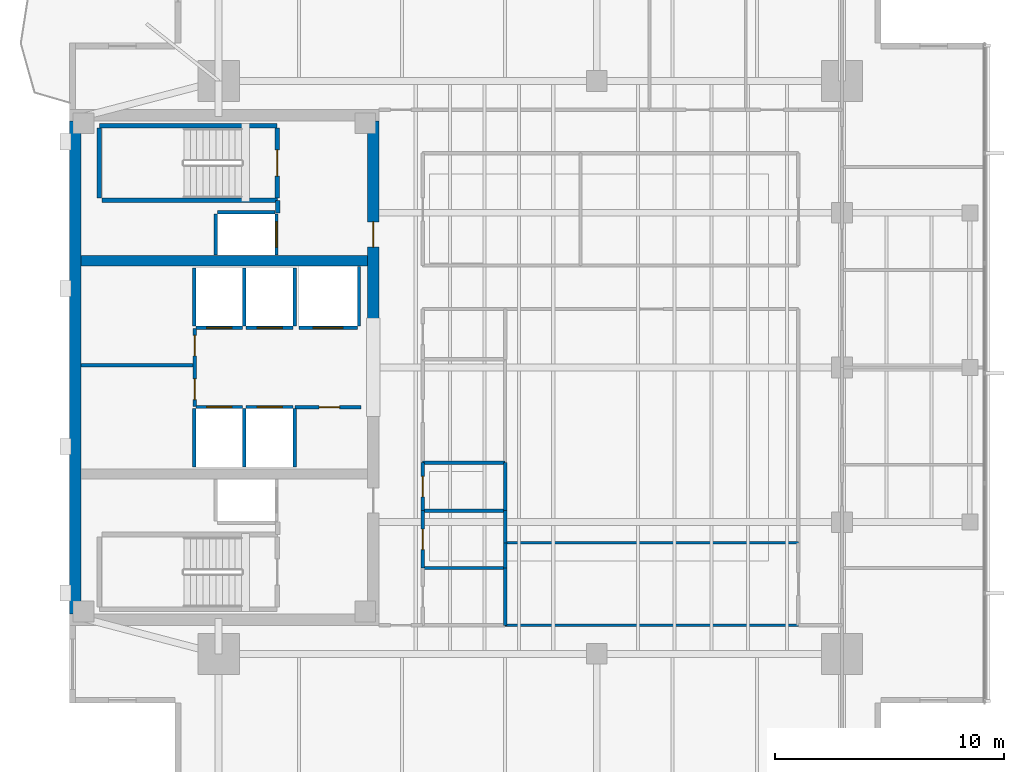
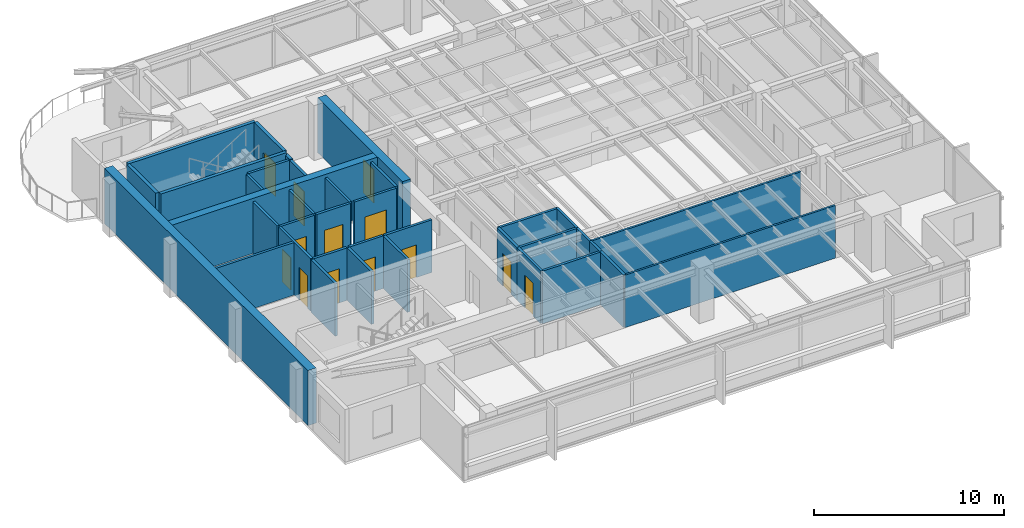
# One storey, part 8 of 14: 37 walls, 13 doors, 13 openings.
"""IFC4 building model written with IfcOpenShell, lengths in metres."""

from ifc_helpers import new_model, si_unit, direction, frame, frame_2d, origin, place, context, subcontext, project, spatial, rectangle, extrude, material, layer, layer_set, type_object, element, fill, save


model = new_model("IFC4")

# Units and contexts
model_context = context("Model", 3, precision=1e-05, world=origin(), true_north=direction((0.0, 1.0)))
body_context = subcontext(model_context, "Body", "Model", "MODEL_VIEW")
ifc_project = project(units=[si_unit("LENGTHUNIT", "METRE"), si_unit("AREAUNIT", "SQUARE_METRE"), si_unit("VOLUMEUNIT", "CUBIC_METRE"), si_unit("PLANEANGLEUNIT", "RADIAN"), si_unit("MASSUNIT", "GRAM", prefix="KILO")], contexts=[model_context])

# Site, building, storey
site_placement = place(None, origin())
site = spatial("IfcSite", under=ifc_project, at=site_placement, CompositionType="ELEMENT")
building_placement = place(site_placement, origin())
building = spatial("IfcBuilding", under=site, at=building_placement, Name="Kinhvarn Gate Tower", CompositionType="ELEMENT")
storey_placement = place(building_placement, frame((0.0, 0.0, 284.75)))
storey = spatial("IfcBuildingStorey", under=building, at=storey_placement, Name="L76", CompositionType="ELEMENT", Elevation=284.75)

# Wall
ifc_material_1 = material(Name="Concrete C50/60", Category="concrete")
ifc_layer_1 = layer(ifc_material_1, 0.449951171875)
ifc_layer_set_1 = layer_set([ifc_layer_1], Name="Concrete C50/60")
wall_type_1 = type_object("IfcWallType", Name="WL-CORE-450", PredefinedType="SHEAR", material=ifc_layer_set_1)
wall_1_placement = place(storey_placement, frame((5.0, 29.89990234375, 0.0), z_axis=(0.0, 0.0, 1.0), x_axis=(1.0, 0.0, 0.0)))
element("IfcWall", 1, at=wall_1_placement, inside=storey, type_object=wall_type_1, Name="Core North Spine Shear Wall L76 450 mm", PredefinedType="SHEAR", context=body_context, shape_type="SweptSolid", body=[
    extrude(rectangle(XDim=12.5, YDim=0.449951171875, at=frame_2d((6.25, 0.0))), origin(), (0.0, 0.0, 1.0), 3.550048828125),
])

# Wall, opening, door
ifc_layer_2 = layer(ifc_material_1, 0.5)
ifc_layer_set_2 = layer_set([ifc_layer_2], Name="Concrete C50/60")
wall_type_2 = type_object("IfcWallType", Name="WL-CORE-500", PredefinedType="SHEAR", material=ifc_layer_set_2)
wall_2_placement = place(storey_placement, frame((17.75, 27.050048828125, 0.0), z_axis=(0.0, 0.0, 1.0), x_axis=(0.0, 1.0, 0.0)))
wall_2 = element("IfcWall", 2, at=wall_2_placement, inside=storey, type_object=wall_type_2, Name="Core East-North Shear Pier L76 500 mm", PredefinedType="SHEAR", context=body_context, shape_type="SweptSolid", body=[
    extrude(rectangle(XDim=8.949951171875, YDim=0.5, at=frame_2d((4.47509765625, 0.0))), origin(), (0.0, 0.0, 1.0), 3.550048828125),
])
opening_1_placement = place(wall_2_placement, frame((3.449951171875, 0.0, 0.0)))
opening_1 = element("IfcOpeningElement", 3, at=opening_1_placement, cuts=wall_2, Name="Opening FD-02", PredefinedType="OPENING", context=body_context, shape_type="SweptSolid", body=[
    extrude(rectangle(XDim=1.10009765625, YDim=2.14990234375, at=frame_2d((0.550048828125, 1.074951171875))), frame((0.0, 0.260009765625, 0.0), z_axis=(0.0, -1.0, 0.0), x_axis=(1.0, 0.0, 0.0)), (0.0, 0.0, 1.0), 0.52001953125),
])
ifc_material_2 = material(Name="Anodised aluminium AW-6063", Category="aluminium")
door_type_1 = type_object("IfcDoorType", Name="DR-FD-1100", OperationType="NOTDEFINED", PredefinedType="DOOR", material=ifc_material_2)
door_1_placement = place(opening_1_placement, origin())
door_1 = element("IfcDoor", 4, at=door_1_placement, inside=storey, type_object=door_type_1, Name="Firefighting Lobby Core Door (L76)", OperationType="SINGLE_SWING_LEFT", OverallHeight=2.14990234375, OverallWidth=1.10009765625, PredefinedType="DOOR", context=body_context, shape_type="SweptSolid", body=[
    extrude(rectangle(XDim=1.10009765625, YDim=2.14990234375, at=frame_2d((0.550048828125, 1.074951171875))), frame((0.0, 0.02490234375, 0.0), z_axis=(0.0, -1.0, 0.0), x_axis=(1.0, 0.0, 0.0)), (0.0, 0.0, 1.0), 0.050048828125),
])
fill(opening_1, door_1)

# Walls
ifc_layer_3 = layer(ifc_material_1, 0.5)
ifc_layer_set_3 = layer_set([ifc_layer_3], Name="Concrete C50/60")
wall_type_3 = type_object("IfcWallType", Name="WL-COREX-500", PredefinedType="SHEAR", material=ifc_layer_set_3)
wall_3_placement = place(storey_placement, frame((4.75, 14.5, 0.0), z_axis=(0.0, 0.0, 1.0), x_axis=(0.0, 1.0, 0.0)))
element("IfcWall", 5, at=wall_3_placement, inside=storey, type_object=wall_type_3, Name="Core West Shear Wall L76 500 mm", PredefinedType="SHEAR", context=body_context, shape_type="SweptSolid", body=[
    extrude(rectangle(XDim=21.5, YDim=0.5, at=frame_2d((10.75, 0.0))), origin(), (0.0, 0.0, 1.0), 3.550048828125),
])
ifc_material_3 = material(Name="Gypsum acoustic partition board")
ifc_layer_4 = layer(ifc_material_3, 0.14990234375)
ifc_layer_set_4 = layer_set([ifc_layer_4], Name="Gypsum acoustic partition board")
wall_type_4 = type_object("IfcWallType", Name="WL-PLM-150", PredefinedType="PLUMBINGWALL", material=ifc_layer_set_4)
wall_4_placement = place(storey_placement, frame((19.89990234375, 16.5, 0.0), z_axis=(0.0, 0.0, 1.0), x_axis=(1.0, 0.0, 0.0)))
element("IfcWall", 6, at=wall_4_placement, inside=storey, type_object=wall_type_4, Name="Interior Partition PLW-150 (L76)", PredefinedType="PLUMBINGWALL", context=body_context, shape_type="SweptSolid", body=[
    extrude(rectangle(XDim=3.60009765625, YDim=0.14990234375, at=frame_2d((1.800048828125, 0.0))), origin(), (0.0, 0.0, 1.0), 3.389892578125),
])
wall_5_placement = place(storey_placement, frame((23.5, 14.0, 0.0), z_axis=(0.0, 0.0, 1.0), x_axis=(0.0, 1.0, 0.0)))
element("IfcWall", 7, at=wall_5_placement, inside=storey, type_object=wall_type_4, Name="Interior Partition PLW-150 (L76)", PredefinedType="PLUMBINGWALL", context=body_context, shape_type="SweptSolid", body=[
    extrude(rectangle(XDim=2.5, YDim=0.14990234375, at=frame_2d((1.25, 0.0))), origin(), (0.0, 0.0, 1.0), 3.389892578125),
])
wall_6_placement = place(storey_placement, frame((19.89990234375, 19.0, 0.0), z_axis=(0.0, 0.0, 1.0), x_axis=(1.0, 0.0, 0.0)))
element("IfcWall", 8, at=wall_6_placement, inside=storey, type_object=wall_type_4, Name="Interior Partition PLW-150 (L76)", PredefinedType="PLUMBINGWALL", context=body_context, shape_type="SweptSolid", body=[
    extrude(rectangle(XDim=3.60009765625, YDim=0.14990234375, at=frame_2d((1.800048828125, 0.0))), origin(), (0.0, 0.0, 1.0), 3.389892578125),
])
wall_7_placement = place(storey_placement, frame((23.5, 16.5, 0.0), z_axis=(0.0, 0.0, 1.0), x_axis=(0.0, 1.0, 0.0)))
element("IfcWall", 9, at=wall_7_placement, inside=storey, type_object=wall_type_4, Name="Interior Partition PLW-150 (L76)", PredefinedType="PLUMBINGWALL", context=body_context, shape_type="SweptSolid", body=[
    extrude(rectangle(XDim=1.10009765625, YDim=0.14990234375, at=frame_2d((0.550048828125, 0.0))), origin(), (0.0, 0.0, 1.0), 3.389892578125),
])
wall_8_placement = place(storey_placement, frame((23.5, 17.60009765625, 0.0), z_axis=(0.0, 0.0, 1.0), x_axis=(0.0, 1.0, 0.0)))
element("IfcWall", 10, at=wall_8_placement, inside=storey, type_object=wall_type_4, Name="Interior Partition PLW-150 (L76)", PredefinedType="PLUMBINGWALL", context=body_context, shape_type="SweptSolid", body=[
    extrude(rectangle(XDim=1.39990234375, YDim=0.14990234375, at=frame_2d((0.699951171875, 0.0))), origin(), (0.0, 0.0, 1.0), 3.389892578125),
])
wall_9_placement = place(storey_placement, frame((19.89990234375, 21.10009765625, 0.0), z_axis=(0.0, 0.0, 1.0), x_axis=(1.0, 0.0, 0.0)))
element("IfcWall", 11, at=wall_9_placement, inside=storey, type_object=wall_type_4, Name="Interior Partition PLW-150 (L76)", PredefinedType="PLUMBINGWALL", context=body_context, shape_type="SweptSolid", body=[
    extrude(rectangle(XDim=3.60009765625, YDim=0.14990234375, at=frame_2d((1.800048828125, 0.0))), origin(), (0.0, 0.0, 1.0), 3.389892578125),
])
wall_10_placement = place(storey_placement, frame((23.5, 19.0, 0.0), z_axis=(0.0, 0.0, 1.0), x_axis=(0.0, 1.0, 0.0)))
element("IfcWall", 12, at=wall_10_placement, inside=storey, type_object=wall_type_4, Name="Interior Partition PLW-150 (L76)", PredefinedType="PLUMBINGWALL", context=body_context, shape_type="SweptSolid", body=[
    extrude(rectangle(XDim=2.10009765625, YDim=0.14990234375, at=frame_2d((1.050048828125, 0.0))), origin(), (0.0, 0.0, 1.0), 3.389892578125),
])

# Wall, opening, door
ifc_layer_5 = layer(ifc_material_3, 0.14990234375)
ifc_layer_set_5 = layer_set([ifc_layer_5], Name="Gypsum acoustic partition board")
wall_type_5 = type_object("IfcWallType", Name="WL-PLM-150F", PredefinedType="PLUMBINGWALL", material=ifc_layer_set_5)
wall_11_placement = place(storey_placement, frame((19.89990234375, 16.5, 0.0), z_axis=(0.0, 0.0, 1.0), x_axis=(0.0, 1.0, 0.0)))
wall_11 = element("IfcWall", 13, at=wall_11_placement, inside=storey, type_object=wall_type_5, Name="Interior Partition PLW-150F (L76)", PredefinedType="PLUMBINGWALL", context=body_context, shape_type="SweptSolid", body=[
    extrude(rectangle(XDim=2.5, YDim=0.14990234375, at=frame_2d((1.25, 0.0))), origin(), (0.0, 0.0, 1.0), 3.389892578125),
])
opening_2_placement = place(wall_11_placement, frame((0.800048828125, 0.0, 0.0)))
opening_2 = element("IfcOpeningElement", 14, at=opening_2_placement, cuts=wall_11, Name="Opening FD-04", PredefinedType="OPENING", context=body_context, shape_type="SweptSolid", body=[
    extrude(rectangle(XDim=0.89990234375, YDim=2.10009765625, at=frame_2d((0.449951171875, 1.050048828125))), frame((0.0, 0.0849609375, 0.0), z_axis=(0.0, -1.0, 0.0), x_axis=(1.0, 0.0, 0.0)), (0.0, 0.0, 1.0), 0.169921875),
])
door_type_2 = type_object("IfcDoorType", Name="DR-FD-900", OperationType="NOTDEFINED", PredefinedType="DOOR", material=ifc_material_2)
door_2_placement = place(opening_2_placement, origin())
door_2 = element("IfcDoor", 15, at=door_2_placement, inside=storey, type_object=door_type_2, Name="Rated Riser & Service Closet Fire Door 900x2100 mm (L76)", OperationType="SINGLE_SWING_LEFT", OverallHeight=2.10009765625, OverallWidth=0.89990234375, PredefinedType="DOOR", context=body_context, shape_type="SweptSolid", body=[
    extrude(rectangle(XDim=0.89990234375, YDim=2.10009765625, at=frame_2d((0.449951171875, 1.050048828125))), frame((0.0, 0.02490234375, 0.0), z_axis=(0.0, -1.0, 0.0), x_axis=(1.0, 0.0, 0.0)), (0.0, 0.0, 1.0), 0.050048828125),
])
fill(opening_2, door_2)

wall_12_placement = place(storey_placement, frame((19.89990234375, 19.0, 0.0), z_axis=(0.0, 0.0, 1.0), x_axis=(0.0, 1.0, 0.0)))
wall_12 = element("IfcWall", 16, at=wall_12_placement, inside=storey, type_object=wall_type_5, Name="Interior Partition PLW-150F (L76)", PredefinedType="PLUMBINGWALL", context=body_context, shape_type="SweptSolid", body=[
    extrude(rectangle(XDim=2.10009765625, YDim=0.14990234375, at=frame_2d((1.050048828125, 0.0))), origin(), (0.0, 0.0, 1.0), 3.389892578125),
])
opening_3_placement = place(wall_12_placement, frame((0.60009765625, 0.0, 0.0)))
opening_3 = element("IfcOpeningElement", 17, at=opening_3_placement, cuts=wall_12, Name="Opening FD-04", PredefinedType="OPENING", context=body_context, shape_type="SweptSolid", body=[
    extrude(rectangle(XDim=0.89990234375, YDim=2.10009765625, at=frame_2d((0.449951171875, 1.050048828125))), frame((0.0, 0.0849609375, 0.0), z_axis=(0.0, -1.0, 0.0), x_axis=(1.0, 0.0, 0.0)), (0.0, 0.0, 1.0), 0.169921875),
])
door_3_placement = place(opening_3_placement, origin())
door_3 = element("IfcDoor", 18, at=door_3_placement, inside=storey, type_object=door_type_2, Name="Rated Riser & Service Closet Fire Door 900x2100 mm (L76)", OperationType="SINGLE_SWING_RIGHT", OverallHeight=2.10009765625, OverallWidth=0.89990234375, PredefinedType="DOOR", context=body_context, shape_type="SweptSolid", body=[
    extrude(rectangle(XDim=0.89990234375, YDim=2.10009765625, at=frame_2d((0.449951171875, 1.050048828125))), frame((0.0, 0.02490234375, 0.0), z_axis=(0.0, -1.0, 0.0), x_axis=(1.0, 0.0, 0.0)), (0.0, 0.0, 1.0), 0.050048828125),
])
fill(opening_3, door_3)

# Walls
ifc_layer_6 = layer(ifc_material_3, 0.1201171875)
ifc_layer_set_6 = layer_set([ifc_layer_6], Name="Gypsum acoustic partition board")
wall_type_6 = type_object("IfcWallType", Name="WL-PRT-120", PredefinedType="PARTITIONING", material=ifc_layer_set_6)
for number, where, z_axis, x_axis, name in (
    (19, (23.5, 17.60009765625, 0.0), (0.0, 0.0, 1.0), (1.0, 0.0, 0.0), "Interior Partition PW-120 (L76)"),
    (20, (23.5, 14.0, 0.0), (0.0, 0.0, 1.0), (1.0, 0.0, 0.0), "Interior Partition PW-120 (L76)"),
):
    element("IfcWall", number, at=place(storey_placement, frame(where, z_axis=z_axis, x_axis=x_axis)), inside=storey, type_object=wall_type_6, Name=name, PredefinedType="PARTITIONING", context=body_context, shape_type="SweptSolid", body=[
        extrude(rectangle(XDim=12.800048828125, YDim=0.1201171875, at=frame_2d((6.39990234375, 0.0))), origin(), (0.0, 0.0, 1.0), 3.389892578125),
    ])
ifc_layer_7 = layer(ifc_material_3, 0.14990234375)
ifc_layer_set_7 = layer_set([ifc_layer_7], Name="Gypsum acoustic partition board")
wall_type_7 = type_object("IfcWallType", Name="WL-PRT-150F", PredefinedType="PARTITIONING", material=ifc_layer_set_7)
wall_13_placement = place(storey_placement, frame((5.0, 25.35009765625, 0.0), z_axis=(0.0, 0.0, 1.0), x_axis=(1.0, 0.0, 0.0)))
element("IfcWall", 21, at=wall_13_placement, inside=storey, type_object=wall_type_7, Name="Interior Partition PW-150F (L76)", PredefinedType="PARTITIONING", context=body_context, shape_type="SweptSolid", body=[
    extrude(rectangle(XDim=4.949951171875, YDim=0.14990234375, at=frame_2d((2.47509765625, 0.0))), origin(), (0.0, 0.0, 1.0), 3.389892578125),
])

# Wall, openings, doors
wall_14_placement = place(storey_placement, frame((9.949951171875, 23.550048828125, 0.0), z_axis=(0.0, 0.0, 1.0), x_axis=(0.0, 1.0, 0.0)))
wall_14 = element("IfcWall", 22, at=wall_14_placement, inside=storey, type_object=wall_type_7, Name="Interior Partition PW-150F (L76)", PredefinedType="PARTITIONING", context=body_context, shape_type="SweptSolid", body=[
    extrude(rectangle(XDim=3.39990234375, YDim=0.14990234375, at=frame_2d((1.699951171875, 0.0))), origin(), (0.0, 0.0, 1.0), 3.389892578125),
])
opening_4_placement = place(wall_14_placement, frame((0.298095703125, 0.0, 0.0)))
opening_4 = element("IfcOpeningElement", 23, at=opening_4_placement, cuts=wall_14, Name="Opening FD-04", PredefinedType="OPENING", context=body_context, shape_type="SweptSolid", body=[
    extrude(rectangle(XDim=0.89990234375, YDim=2.10009765625, at=frame_2d((0.449951171875, 1.050048828125))), frame((0.0, 0.0849609375, 0.0), z_axis=(0.0, -1.0, 0.0), x_axis=(1.0, 0.0, 0.0)), (0.0, 0.0, 1.0), 0.169921875),
])
opening_5_placement = place(wall_14_placement, frame((2.201904296875, 0.0, 0.0)))
opening_5 = element("IfcOpeningElement", 24, at=opening_5_placement, cuts=wall_14, Name="Opening FD-04", PredefinedType="OPENING", context=body_context, shape_type="SweptSolid", body=[
    extrude(rectangle(XDim=0.89990234375, YDim=2.10009765625, at=frame_2d((0.449951171875, 1.050048828125))), frame((0.0, 0.0849609375, 0.0), z_axis=(0.0, -1.0, 0.0), x_axis=(1.0, 0.0, 0.0)), (0.0, 0.0, 1.0), 0.169921875),
])
door_4_placement = place(opening_4_placement, origin())
door_4 = element("IfcDoor", 25, at=door_4_placement, inside=storey, type_object=door_type_2, Name="Rated Riser & Service Closet Fire Door 900x2100 mm (L76)", OperationType="SINGLE_SWING_RIGHT", OverallHeight=2.10009765625, OverallWidth=0.89990234375, PredefinedType="DOOR", context=body_context, shape_type="SweptSolid", body=[
    extrude(rectangle(XDim=0.89990234375, YDim=2.10009765625, at=frame_2d((0.449951171875, 1.050048828125))), frame((0.0, 0.02490234375, 0.0), z_axis=(0.0, -1.0, 0.0), x_axis=(1.0, 0.0, 0.0)), (0.0, 0.0, 1.0), 0.050048828125),
])
fill(opening_4, door_4)
door_5_placement = place(opening_5_placement, origin())
door_5 = element("IfcDoor", 26, at=door_5_placement, inside=storey, type_object=door_type_2, Name="Rated Riser & Service Closet Fire Door 900x2100 mm (L76)", OperationType="SINGLE_SWING_LEFT", OverallHeight=2.10009765625, OverallWidth=0.89990234375, PredefinedType="DOOR", context=body_context, shape_type="SweptSolid", body=[
    extrude(rectangle(XDim=0.89990234375, YDim=2.10009765625, at=frame_2d((0.449951171875, 1.050048828125))), frame((0.0, 0.02490234375, 0.0), z_axis=(0.0, -1.0, 0.0), x_axis=(1.0, 0.0, 0.0)), (0.0, 0.0, 1.0), 0.050048828125),
])
fill(opening_5, door_5)

# Wall, opening, door
wall_15_placement = place(storey_placement, frame((14.330078125, 23.52001953125, 0.0), z_axis=(0.0, 0.0, 1.0), x_axis=(1.0, 0.0, 0.0)))
wall_15 = element("IfcWall", 27, at=wall_15_placement, inside=storey, type_object=wall_type_7, Name="Interior Partition PW-150F (L76)", PredefinedType="PARTITIONING", context=body_context, shape_type="SweptSolid", body=[
    extrude(rectangle(XDim=2.889892578125, YDim=0.14990234375, at=frame_2d((1.44482421875, 0.0))), origin(), (0.0, 0.0, 1.0), 3.389892578125),
])
opening_6_placement = place(wall_15_placement, frame((1.052734375, 0.0, 0.0)))
opening_6 = element("IfcOpeningElement", 28, at=opening_6_placement, cuts=wall_15, Name="Opening FD-04", PredefinedType="OPENING", context=body_context, shape_type="SweptSolid", body=[
    extrude(rectangle(XDim=0.89990234375, YDim=2.10009765625, at=frame_2d((0.449951171875, 1.050048828125))), frame((0.0, 0.0849609375, 0.0), z_axis=(0.0, -1.0, 0.0), x_axis=(1.0, 0.0, 0.0)), (0.0, 0.0, 1.0), 0.169921875),
])
door_6_placement = place(opening_6_placement, origin())
door_6 = element("IfcDoor", 29, at=door_6_placement, inside=storey, type_object=door_type_2, Name="Rated Riser & Service Closet Fire Door 900x2100 mm (L76)", OperationType="SINGLE_SWING_RIGHT", OverallHeight=2.10009765625, OverallWidth=0.89990234375, PredefinedType="DOOR", context=body_context, shape_type="SweptSolid", body=[
    extrude(rectangle(XDim=0.89990234375, YDim=2.10009765625, at=frame_2d((0.449951171875, 1.050048828125))), frame((0.0, 0.02490234375, 0.0), z_axis=(0.0, -1.0, 0.0), x_axis=(1.0, 0.0, 0.0)), (0.0, 0.0, 1.0), 0.050048828125),
])
fill(opening_6, door_6)

# Wall
ifc_layer_8 = layer(ifc_material_3, 0.199951171875)
ifc_layer_set_8 = layer_set([ifc_layer_8], Name="Gypsum acoustic partition board")
wall_type_8 = type_object("IfcWallType", Name="WL-PRT-200", PredefinedType="PARTITIONING", material=ifc_layer_set_8)
wall_16_placement = place(storey_placement, frame((13.580078125, 32.0, 0.0), z_axis=(0.0, 0.0, 1.0), x_axis=(0.0, 1.0, 0.0)))
element("IfcWall", 30, at=wall_16_placement, inside=storey, type_object=wall_type_8, Name="Interior Partition PW-200 (L76)", PredefinedType="PARTITIONING", context=body_context, shape_type="SweptSolid", body=[
    extrude(rectangle(XDim=0.5400390625, YDim=0.199951171875, at=frame_2d((0.27001953125, 0.0))), origin(), (0.0, 0.0, 1.0), 3.389892578125),
])

# Wall, opening, door
ifc_layer_9 = layer(ifc_material_3, 0.14990234375)
ifc_layer_set_9 = layer_set([ifc_layer_9], Name="Gypsum acoustic partition board")
wall_type_9 = type_object("IfcWallType", Name="WL-SHF-150", PredefinedType="PARTITIONING", material=ifc_layer_set_9)
wall_17_placement = place(storey_placement, frame((10.0, 23.52490234375, 0.0), z_axis=(0.0, 0.0, 1.0), x_axis=(1.0, 0.0, 0.0)))
wall_17 = element("IfcWall", 31, at=wall_17_placement, inside=storey, type_object=wall_type_9, Name="Elevator PH-09 Landing Wall (L76)", PredefinedType="PARTITIONING", context=body_context, shape_type="SweptSolid", body=[
    extrude(rectangle(XDim=2.050048828125, YDim=0.14990234375, at=frame_2d((1.02490234375, 0.0))), origin(), (0.0, 0.0, 1.0), 3.389892578125),
])
opening_7_placement = place(wall_17_placement, frame((0.47509765625, 0.0, 0.0)))
opening_7 = element("IfcOpeningElement", 32, at=opening_7_placement, cuts=wall_17, Name="Opening LD-01", PredefinedType="OPENING", context=body_context, shape_type="SweptSolid", body=[
    extrude(rectangle(XDim=1.10009765625, YDim=2.199951171875, at=frame_2d((0.550048828125, 1.10009765625))), frame((0.0, 0.0849609375, 0.0), z_axis=(0.0, -1.0, 0.0), x_axis=(1.0, 0.0, 0.0)), (0.0, 0.0, 1.0), 0.169921875),
])
door_type_3 = type_object("IfcDoorType", Name="DR-LND-PAS", OperationType="NOTDEFINED", PredefinedType="DOOR", material=ifc_material_2)
door_7_placement = place(opening_7_placement, origin())
door_7 = element("IfcDoor", 33, at=door_7_placement, inside=storey, type_object=door_type_3, Name="Elevator PH-09 Sliding Landing Door (L76)", OperationType="DOUBLE_DOOR_SLIDING", OverallHeight=2.199951171875, OverallWidth=1.10009765625, PredefinedType="DOOR", context=body_context, shape_type="SweptSolid", body=[
    extrude(rectangle(XDim=1.10009765625, YDim=2.199951171875, at=frame_2d((0.550048828125, 1.10009765625))), frame((0.0, 0.02490234375, 0.0), z_axis=(0.0, -1.0, 0.0), x_axis=(1.0, 0.0, 0.0)), (0.0, 0.0, 1.0), 0.050048828125),
])
fill(opening_7, door_7)

# Walls
for number, where, z_axis, x_axis, name in (
    (34, (9.925048828125, 20.89990234375, 0.0), (0.0, 0.0, 1.0), (0.0, 1.0, 0.0), "Elevator PH-09 Hoistway Wall W (L76)"),
    (35, (12.125, 20.89990234375, 0.0), (0.0, 0.0, 1.0), (0.0, 1.0, 0.0), "Elevator PH-09 Hoistway Wall E (L76)"),
):
    element("IfcWall", number, at=place(storey_placement, frame(where, z_axis=z_axis, x_axis=x_axis)), inside=storey, type_object=wall_type_9, Name=name, PredefinedType="PARTITIONING", context=body_context, shape_type="SweptSolid", body=[
        extrude(rectangle(XDim=2.550048828125, YDim=0.14990234375, at=frame_2d((1.27490234375, 0.0))), origin(), (0.0, 0.0, 1.0), 3.389892578125),
    ])

# Wall, opening, door
wall_18_placement = place(storey_placement, frame((12.199951171875, 23.52490234375, 0.0), z_axis=(0.0, 0.0, 1.0), x_axis=(1.0, 0.0, 0.0)))
wall_18 = element("IfcWall", 36, at=wall_18_placement, inside=storey, type_object=wall_type_9, Name="Elevator PH-10 Landing Wall (L76)", PredefinedType="PARTITIONING", context=body_context, shape_type="SweptSolid", body=[
    extrude(rectangle(XDim=2.050048828125, YDim=0.14990234375, at=frame_2d((1.02490234375, 0.0))), origin(), (0.0, 0.0, 1.0), 3.389892578125),
])
opening_8_placement = place(wall_18_placement, frame((0.47509765625, 0.0, 0.0)))
opening_8 = element("IfcOpeningElement", 37, at=opening_8_placement, cuts=wall_18, Name="Opening LD-01", PredefinedType="OPENING", context=body_context, shape_type="SweptSolid", body=[
    extrude(rectangle(XDim=1.10009765625, YDim=2.199951171875, at=frame_2d((0.550048828125, 1.10009765625))), frame((0.0, 0.0849609375, 0.0), z_axis=(0.0, -1.0, 0.0), x_axis=(1.0, 0.0, 0.0)), (0.0, 0.0, 1.0), 0.169921875),
])
door_8_placement = place(opening_8_placement, origin())
door_8 = element("IfcDoor", 38, at=door_8_placement, inside=storey, type_object=door_type_3, Name="Elevator PH-10 Sliding Landing Door (L76)", OperationType="DOUBLE_DOOR_SLIDING", OverallHeight=2.199951171875, OverallWidth=1.10009765625, PredefinedType="DOOR", context=body_context, shape_type="SweptSolid", body=[
    extrude(rectangle(XDim=1.10009765625, YDim=2.199951171875, at=frame_2d((0.550048828125, 1.10009765625))), frame((0.0, 0.02490234375, 0.0), z_axis=(0.0, -1.0, 0.0), x_axis=(1.0, 0.0, 0.0)), (0.0, 0.0, 1.0), 0.050048828125),
])
fill(opening_8, door_8)

# Wall
wall_19_placement = place(storey_placement, frame((14.324951171875, 20.89990234375, 0.0), z_axis=(0.0, 0.0, 1.0), x_axis=(0.0, 1.0, 0.0)))
element("IfcWall", 39, at=wall_19_placement, inside=storey, type_object=wall_type_9, Name="Elevator PH-10 Hoistway Wall E (L76)", PredefinedType="PARTITIONING", context=body_context, shape_type="SweptSolid", body=[
    extrude(rectangle(XDim=2.550048828125, YDim=0.14990234375, at=frame_2d((1.27490234375, 0.0))), origin(), (0.0, 0.0, 1.0), 3.389892578125),
])

# Wall, opening, door
wall_20_placement = place(storey_placement, frame((10.0, 26.97509765625, 0.0), z_axis=(0.0, 0.0, 1.0), x_axis=(1.0, 0.0, 0.0)))
wall_20 = element("IfcWall", 40, at=wall_20_placement, inside=storey, type_object=wall_type_9, Name="Elevator PH-11 Landing Wall (L76)", PredefinedType="PARTITIONING", context=body_context, shape_type="SweptSolid", body=[
    extrude(rectangle(XDim=2.050048828125, YDim=0.14990234375, at=frame_2d((1.02490234375, 0.0))), origin(), (0.0, 0.0, 1.0), 3.389892578125),
])
opening_9_placement = place(wall_20_placement, frame((0.47509765625, 0.0, 0.0)))
opening_9 = element("IfcOpeningElement", 41, at=opening_9_placement, cuts=wall_20, Name="Opening LD-01", PredefinedType="OPENING", context=body_context, shape_type="SweptSolid", body=[
    extrude(rectangle(XDim=1.10009765625, YDim=2.199951171875, at=frame_2d((0.550048828125, 1.10009765625))), frame((0.0, 0.0849609375, 0.0), z_axis=(0.0, -1.0, 0.0), x_axis=(1.0, 0.0, 0.0)), (0.0, 0.0, 1.0), 0.169921875),
])
door_9_placement = place(opening_9_placement, origin())
door_9 = element("IfcDoor", 42, at=door_9_placement, inside=storey, type_object=door_type_3, Name="Elevator PH-11 Sliding Landing Door (L76)", OperationType="DOUBLE_DOOR_SLIDING", OverallHeight=2.199951171875, OverallWidth=1.10009765625, PredefinedType="DOOR", context=body_context, shape_type="SweptSolid", body=[
    extrude(rectangle(XDim=1.10009765625, YDim=2.199951171875, at=frame_2d((0.550048828125, 1.10009765625))), frame((0.0, 0.02490234375, 0.0), z_axis=(0.0, -1.0, 0.0), x_axis=(1.0, 0.0, 0.0)), (0.0, 0.0, 1.0), 0.050048828125),
])
fill(opening_9, door_9)

# Walls
for number, where, z_axis, x_axis, name in (
    (43, (9.925048828125, 27.050048828125, 0.0), (0.0, 0.0, 1.0), (0.0, 1.0, 0.0), "Elevator PH-11 Hoistway Wall W (L76)"),
    (44, (12.125, 27.050048828125, 0.0), (0.0, 0.0, 1.0), (0.0, 1.0, 0.0), "Elevator PH-11 Hoistway Wall E (L76)"),
):
    element("IfcWall", number, at=place(storey_placement, frame(where, z_axis=z_axis, x_axis=x_axis)), inside=storey, type_object=wall_type_9, Name=name, PredefinedType="PARTITIONING", context=body_context, shape_type="SweptSolid", body=[
        extrude(rectangle(XDim=2.550048828125, YDim=0.14990234375, at=frame_2d((1.27490234375, 0.0))), origin(), (0.0, 0.0, 1.0), 3.389892578125),
    ])

# Wall, opening, door
wall_21_placement = place(storey_placement, frame((12.199951171875, 26.97509765625, 0.0), z_axis=(0.0, 0.0, 1.0), x_axis=(1.0, 0.0, 0.0)))
wall_21 = element("IfcWall", 45, at=wall_21_placement, inside=storey, type_object=wall_type_9, Name="Elevator PH-12 Landing Wall (L76)", PredefinedType="PARTITIONING", context=body_context, shape_type="SweptSolid", body=[
    extrude(rectangle(XDim=2.050048828125, YDim=0.14990234375, at=frame_2d((1.02490234375, 0.0))), origin(), (0.0, 0.0, 1.0), 3.389892578125),
])
opening_10_placement = place(wall_21_placement, frame((0.47509765625, 0.0, 0.0)))
opening_10 = element("IfcOpeningElement", 46, at=opening_10_placement, cuts=wall_21, Name="Opening LD-01", PredefinedType="OPENING", context=body_context, shape_type="SweptSolid", body=[
    extrude(rectangle(XDim=1.10009765625, YDim=2.199951171875, at=frame_2d((0.550048828125, 1.10009765625))), frame((0.0, 0.0849609375, 0.0), z_axis=(0.0, -1.0, 0.0), x_axis=(1.0, 0.0, 0.0)), (0.0, 0.0, 1.0), 0.169921875),
])
door_10_placement = place(opening_10_placement, origin())
door_10 = element("IfcDoor", 47, at=door_10_placement, inside=storey, type_object=door_type_3, Name="Elevator PH-12 Sliding Landing Door (L76)", OperationType="DOUBLE_DOOR_SLIDING", OverallHeight=2.199951171875, OverallWidth=1.10009765625, PredefinedType="DOOR", context=body_context, shape_type="SweptSolid", body=[
    extrude(rectangle(XDim=1.10009765625, YDim=2.199951171875, at=frame_2d((0.550048828125, 1.10009765625))), frame((0.0, 0.02490234375, 0.0), z_axis=(0.0, -1.0, 0.0), x_axis=(1.0, 0.0, 0.0)), (0.0, 0.0, 1.0), 0.050048828125),
])
fill(opening_10, door_10)

# Wall
wall_22_placement = place(storey_placement, frame((14.324951171875, 27.050048828125, 0.0), z_axis=(0.0, 0.0, 1.0), x_axis=(0.0, 1.0, 0.0)))
element("IfcWall", 48, at=wall_22_placement, inside=storey, type_object=wall_type_9, Name="Elevator PH-12 Hoistway Wall E (L76)", PredefinedType="PARTITIONING", context=body_context, shape_type="SweptSolid", body=[
    extrude(rectangle(XDim=2.550048828125, YDim=0.14990234375, at=frame_2d((1.27490234375, 0.0))), origin(), (0.0, 0.0, 1.0), 3.389892578125),
])

# Wall, opening, door
wall_23_placement = place(storey_placement, frame((14.5, 26.97509765625, 0.0), z_axis=(0.0, 0.0, 1.0), x_axis=(1.0, 0.0, 0.0)))
wall_23 = element("IfcWall", 49, at=wall_23_placement, inside=storey, type_object=wall_type_9, Name="Elevator SV-01 Landing Wall (L76)", PredefinedType="PARTITIONING", context=body_context, shape_type="SweptSolid", body=[
    extrude(rectangle(XDim=2.550048828125, YDim=0.14990234375, at=frame_2d((1.27490234375, 0.0))), origin(), (0.0, 0.0, 1.0), 3.389892578125),
])
opening_11_placement = place(wall_23_placement, frame((0.625, 0.0, 0.0)))
opening_11 = element("IfcOpeningElement", 50, at=opening_11_placement, cuts=wall_23, Name="Opening LD-02", PredefinedType="OPENING", context=body_context, shape_type="SweptSolid", body=[
    extrude(rectangle(XDim=1.300048828125, YDim=2.199951171875, at=frame_2d((0.64990234375, 1.10009765625))), frame((0.0, 0.0849609375, 0.0), z_axis=(0.0, -1.0, 0.0), x_axis=(1.0, 0.0, 0.0)), (0.0, 0.0, 1.0), 0.169921875),
])
door_type_4 = type_object("IfcDoorType", Name="DR-LND-SRV", OperationType="NOTDEFINED", PredefinedType="DOOR", material=ifc_material_2)
door_11_placement = place(opening_11_placement, origin())
door_11 = element("IfcDoor", 51, at=door_11_placement, inside=storey, type_object=door_type_4, Name="Elevator SV-01 Sliding Landing Door (L76)", OperationType="DOUBLE_DOOR_SLIDING", OverallHeight=2.199951171875, OverallWidth=1.300048828125, PredefinedType="DOOR", context=body_context, shape_type="SweptSolid", body=[
    extrude(rectangle(XDim=1.300048828125, YDim=2.199951171875, at=frame_2d((0.64990234375, 1.10009765625))), frame((0.0, 0.02490234375, 0.0), z_axis=(0.0, -1.0, 0.0), x_axis=(1.0, 0.0, 0.0)), (0.0, 0.0, 1.0), 0.050048828125),
])
fill(opening_11, door_11)

# Walls
wall_24_placement = place(storey_placement, frame((17.125, 27.050048828125, 0.0), z_axis=(0.0, 0.0, 1.0), x_axis=(0.0, 1.0, 0.0)))
element("IfcWall", 52, at=wall_24_placement, inside=storey, type_object=wall_type_9, Name="Elevator SV-01 Hoistway Wall E (L76)", PredefinedType="PARTITIONING", context=body_context, shape_type="SweptSolid", body=[
    extrude(rectangle(XDim=2.599853515625, YDim=0.14990234375, at=frame_2d((1.2998046875, 0.0))), origin(), (0.0, 0.0, 1.0), 3.389892578125),
])
wall_25_placement = place(storey_placement, frame((10.949951171875, 32.02490234375, 0.0), z_axis=(0.0, 0.0, 1.0), x_axis=(1.0, 0.0, 0.0)))
element("IfcWall", 53, at=wall_25_placement, inside=storey, type_object=wall_type_9, Name="Elevator FF2 Hoistway Wall N (L76)", PredefinedType="PARTITIONING", context=body_context, shape_type="SweptSolid", body=[
    extrude(rectangle(XDim=2.5, YDim=0.14990234375, at=frame_2d((1.25, 0.0))), origin(), (0.0, 0.0, 1.0), 3.389892578125),
])
wall_26_placement = place(storey_placement, frame((10.875, 30.14990234375, 0.0), z_axis=(0.0, 0.0, 1.0), x_axis=(0.0, 1.0, 0.0)))
element("IfcWall", 54, at=wall_26_placement, inside=storey, type_object=wall_type_9, Name="Elevator FF2 Hoistway Wall W (L76)", PredefinedType="PARTITIONING", context=body_context, shape_type="SweptSolid", body=[
    extrude(rectangle(XDim=1.800048828125, YDim=0.14990234375, at=frame_2d((0.89990234375, 0.0))), origin(), (0.0, 0.0, 1.0), 3.389892578125),
])

# Wall, opening, door
wall_27_placement = place(storey_placement, frame((13.52490234375, 30.14990234375, 0.0), z_axis=(0.0, 0.0, 1.0), x_axis=(0.0, 1.0, 0.0)))
wall_27 = element("IfcWall", 55, at=wall_27_placement, inside=storey, type_object=wall_type_9, Name="Elevator FF2 Landing Wall (L76)", PredefinedType="PARTITIONING", context=body_context, shape_type="SweptSolid", body=[
    extrude(rectangle(XDim=1.800048828125, YDim=0.14990234375, at=frame_2d((0.89990234375, 0.0))), origin(), (0.0, 0.0, 1.0), 3.389892578125),
])
opening_12_placement = place(wall_27_placement, frame((0.35009765625, 0.0, 0.0)))
opening_12 = element("IfcOpeningElement", 56, at=opening_12_placement, cuts=wall_27, Name="Opening LD-03", PredefinedType="OPENING", context=body_context, shape_type="SweptSolid", body=[
    extrude(rectangle(XDim=1.10009765625, YDim=2.199951171875, at=frame_2d((0.550048828125, 1.10009765625))), frame((0.0, 0.0849609375, 0.0), z_axis=(0.0, -1.0, 0.0), x_axis=(1.0, 0.0, 0.0)), (0.0, 0.0, 1.0), 0.169921875),
])
door_type_5 = type_object("IfcDoorType", Name="DR-LND-FF", OperationType="NOTDEFINED", PredefinedType="DOOR", material=ifc_material_2)
door_12_placement = place(opening_12_placement, origin())
door_12 = element("IfcDoor", 57, at=door_12_placement, inside=storey, type_object=door_type_5, Name="Elevator FF2 Sliding Landing Door (L76)", OperationType="DOUBLE_DOOR_SLIDING", OverallHeight=2.199951171875, OverallWidth=1.10009765625, PredefinedType="DOOR", context=body_context, shape_type="SweptSolid", body=[
    extrude(rectangle(XDim=1.10009765625, YDim=2.199951171875, at=frame_2d((0.550048828125, 1.10009765625))), frame((0.0, 0.02490234375, 0.0), z_axis=(0.0, -1.0, 0.0), x_axis=(1.0, 0.0, 0.0)), (0.0, 0.0, 1.0), 0.050048828125),
])
fill(opening_12, door_12)

# Walls
ifc_material_4 = material(Name="Concrete C40/50", Category="concrete")
ifc_layer_10 = layer(ifc_material_4, 0.199951171875)
ifc_layer_set_10 = layer_set([ifc_layer_10], Name="Concrete C40/50")
wall_type_10 = type_object("IfcWallType", Name="WL-SHF-200", PredefinedType="SOLIDWALL", material=ifc_layer_set_10)
wall_28_placement = place(storey_placement, frame((5.800048828125, 35.800048828125, 0.0), z_axis=(0.0, 0.0, 1.0), x_axis=(1.0, 0.0, 0.0)))
element("IfcWall", 58, at=wall_28_placement, inside=storey, type_object=wall_type_10, Name="Stair ST2 North Shaft Wall (L76)", PredefinedType="SOLIDWALL", context=body_context, shape_type="SweptSolid", body=[
    extrude(rectangle(XDim=7.75, YDim=0.199951171875, at=frame_2d((3.875, 0.0))), origin(), (0.0, 0.0, 1.0), 3.550048828125),
])
wall_29_placement = place(storey_placement, frame((5.7900390625, 32.64990234375, 0.0), z_axis=(0.0, 0.0, 1.0), x_axis=(0.0, 1.0, 0.0)))
element("IfcWall", 59, at=wall_29_placement, inside=storey, type_object=wall_type_10, Name="Stair ST2 West Shaft Wall (L76)", PredefinedType="SOLIDWALL", context=body_context, shape_type="SweptSolid", body=[
    extrude(rectangle(XDim=3.050048828125, YDim=0.199951171875, at=frame_2d((1.52490234375, 0.0))), origin(), (0.0, 0.0, 1.0), 3.550048828125),
])
wall_30_placement = place(storey_placement, frame((5.89990234375, 32.5400390625, 0.0), z_axis=(0.0, 0.0, 1.0), x_axis=(1.0, 0.0, 0.0)))
element("IfcWall", 60, at=wall_30_placement, inside=storey, type_object=wall_type_10, Name="Stair ST2 South Shaft Wall (L76)", PredefinedType="SOLIDWALL", context=body_context, shape_type="SweptSolid", body=[
    extrude(rectangle(XDim=7.66015625, YDim=0.199951171875, at=frame_2d((3.830078125, 0.0))), origin(), (0.0, 0.0, 1.0), 3.550048828125),
])

# Wall, opening, door
wall_31_placement = place(storey_placement, frame((13.56005859375, 32.64990234375, 0.0), z_axis=(0.0, 0.0, 1.0), x_axis=(0.0, 1.0, 0.0)))
wall_31 = element("IfcWall", 61, at=wall_31_placement, inside=storey, type_object=wall_type_10, Name="Stair ST2 East Entry Wall (L76)", PredefinedType="SOLIDWALL", context=body_context, shape_type="SweptSolid", body=[
    extrude(rectangle(XDim=3.050048828125, YDim=0.199951171875, at=frame_2d((1.52490234375, 0.0))), origin(), (0.0, 0.0, 1.0), 3.550048828125),
])
opening_13_placement = place(wall_31_placement, frame((0.949951171875, 0.0, 0.0)))
opening_13 = element("IfcOpeningElement", 62, at=opening_13_placement, cuts=wall_31, Name="Opening FD-01", PredefinedType="OPENING", context=body_context, shape_type="SweptSolid", body=[
    extrude(rectangle(XDim=1.14990234375, YDim=2.14990234375, at=frame_2d((0.574951171875, 1.074951171875))), frame((0.0, 0.10986328125, 0.0), z_axis=(0.0, -1.0, 0.0), x_axis=(1.0, 0.0, 0.0)), (0.0, 0.0, 1.0), 0.219970703125),
])
door_type_6 = type_object("IfcDoorType", Name="DR-ST-1150", OperationType="NOTDEFINED", PredefinedType="DOOR", material=ifc_material_2)
door_13_placement = place(opening_13_placement, origin())
door_13 = element("IfcDoor", 63, at=door_13_placement, inside=storey, type_object=door_type_6, Name="Exit Stair ST2 Fire Door (L76)", OperationType="SINGLE_SWING_LEFT", OverallHeight=2.14990234375, OverallWidth=1.14990234375, PredefinedType="DOOR", context=body_context, shape_type="SweptSolid", body=[
    extrude(rectangle(XDim=1.14990234375, YDim=2.14990234375, at=frame_2d((0.574951171875, 1.074951171875))), frame((0.0, 0.02490234375, 0.0), z_axis=(0.0, -1.0, 0.0), x_axis=(1.0, 0.0, 0.0)), (0.0, 0.0, 1.0), 0.050048828125),
])
fill(opening_13, door_13)

save(model, "model.ifc")
